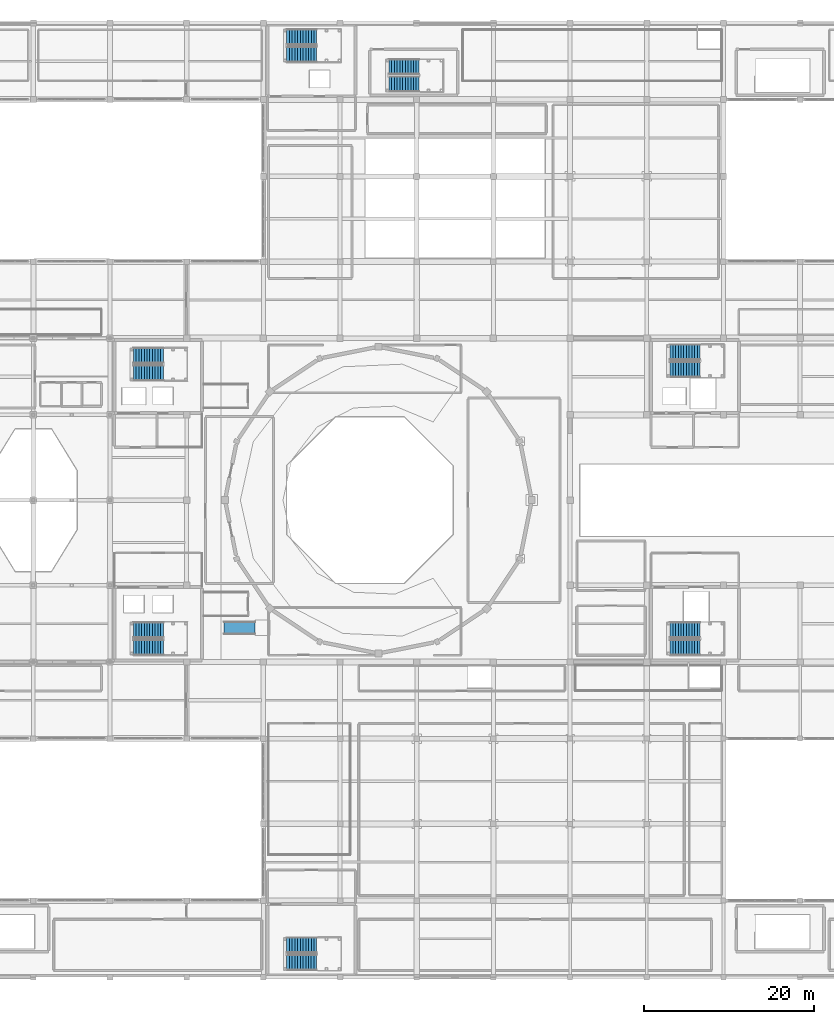
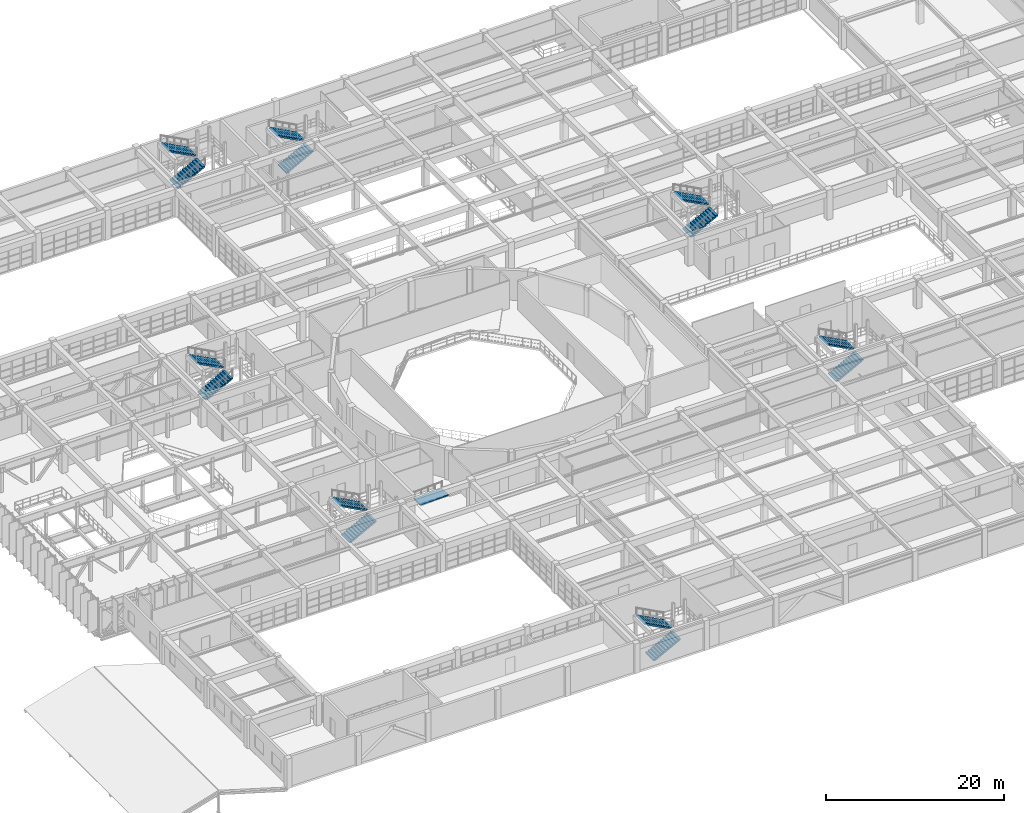
# One storey, part 119 of 130: 14 stair flights, 1 ramp flight, 8 elements without a shape of their own.
"""IFC4 building model written with IfcOpenShell, lengths in metres."""

import ifcopenshell
import ifcopenshell.guid

model = None  # the IFC model being written
_history = None  # IfcOwnerHistory: only IFC2X3 demands one
_inside = {}  # id of a spatial element -> (the spatial element, [elements in it])
_under = {}  # id of a project, library or spatial element -> (it, [spatial elements below it])
_declared = {}  # id of a project -> (the project, [libraries it declares])
_typed = {}  # id of a type object -> (the type object, [elements of that type])
_made_of = {}  # id of a material, layer set ... -> (it, [elements and type objects made of it])


def new_model(schema):
    """Start an empty IFC model of exactly this schema.

    Asked for "IFC4X3", IfcOpenShell would pick the latest addendum, in which some entities
    have other attributes; the version numbers below select the first issue.
    IFC2X3 requires an IfcOwnerHistory on every rooted entity: one is made here for all.
    """
    global model, _history
    if schema == "IFC4X3":
        model = ifcopenshell.file(schema_version=(4, 3, 0, 0))
    else:
        model = ifcopenshell.file(schema=schema)
    _inside.clear()
    _under.clear()
    _declared.clear()
    _typed.clear()
    _made_of.clear()
    _history = None
    if model.schema == "IFC2X3":
        org = make("IfcOrganization", Name="unknown")
        user = make(
            "IfcPersonAndOrganization",
            ThePerson=make("IfcPerson", FamilyName="unknown"),
            TheOrganization=org,
        )
        app = make(
            "IfcApplication",
            ApplicationDeveloper=org,
            Version="unknown",
            ApplicationFullName="unknown",
            ApplicationIdentifier="unknown",
        )
        _history = make(
            "IfcOwnerHistory",
            OwningUser=user,
            OwningApplication=app,
            ChangeAction="ADDED",
            CreationDate=0,
        )
    return model


def make(cls, **values):
    """One entity of the class cls with the attributes given. An attribute that is None is left unset."""
    return model.create_entity(
        cls, **{name: value for name, value in values.items() if value is not None}
    )


def rooted(cls, **values):
    """An entity with a GlobalId (a new one), such as an element, a storey or a relation."""
    return make(cls, GlobalId=ifcopenshell.guid.new(), OwnerHistory=_history, **values)


def si_unit(unit_type, name, prefix=None):
    """IfcSIUnit, for example si_unit("LENGTHUNIT", "METRE", prefix="MILLI")."""
    return make("IfcSIUnit", UnitType=unit_type, Prefix=prefix, Name=name)


def assignment(units):
    """IfcUnitAssignment: the units of a project."""
    return None if units is None else make("IfcUnitAssignment", Units=units)


def point(xyz):
    """IfcCartesianPoint."""
    return None if xyz is None else make("IfcCartesianPoint", Coordinates=xyz)


def direction(xyz):
    """IfcDirection."""
    return None if xyz is None else make("IfcDirection", DirectionRatios=xyz)


def frame(location, z_axis=None, x_axis=None):
    """IfcAxis2Placement3D, a coordinate frame: its origin and axes. An axis left out is left unset."""
    return make(
        "IfcAxis2Placement3D",
        Location=point(location),
        Axis=direction(z_axis),
        RefDirection=direction(x_axis),
    )


def origin():
    """The frame at (0, 0, 0) with its axes left unset."""
    return frame((0.0, 0.0, 0.0))


def place(relative_to, where):
    """IfcLocalPlacement: puts the frame where relative to a parent placement (None: the world)."""
    return make(
        "IfcLocalPlacement", PlacementRelTo=relative_to, RelativePlacement=where
    )


def context(
    kind, dimensions, precision=None, world=None, true_north=None, identifier=None
):
    """IfcGeometricRepresentationContext, for example the 3D "Model" context."""
    return make(
        "IfcGeometricRepresentationContext",
        ContextIdentifier=identifier,
        ContextType=kind,
        CoordinateSpaceDimension=dimensions,
        Precision=precision,
        WorldCoordinateSystem=world,
        TrueNorth=true_north,
    )


def subcontext(parent, identifier, kind, view, scale=None):
    """IfcGeometricRepresentationSubContext, for example "Body" below "Model"."""
    return make(
        "IfcGeometricRepresentationSubContext",
        ContextIdentifier=identifier,
        ContextType=kind,
        ParentContext=parent,
        TargetScale=scale,
        TargetView=view,
    )


def project(units=None, contexts=None):
    """IfcProject with its units and contexts."""
    return rooted(
        "IfcProject",
        Name="project",
        RepresentationContexts=contexts,
        UnitsInContext=assignment(units),
    )


def spatial(cls, under=None, at=None, **own):
    """A site, building, storey or space (cls), placed at a placement, below another one or the project."""
    s = rooted(cls, ObjectPlacement=at, **own)
    if under is not None:
        _under.setdefault(under.id(), (under, []))[1].append(s)
    return s


def polyline(points):
    """IfcPolyline through the points."""
    return make("IfcPolyline", Points=[point(p) for p in points])


def outline(outer, holes=None, kind="AREA"):
    """IfcArbitraryClosedProfileDef: a profile drawn as a closed curve; with holes, ...WithVoids."""
    if holes is None:
        return make("IfcArbitraryClosedProfileDef", ProfileType=kind, OuterCurve=outer)
    return make(
        "IfcArbitraryProfileDefWithVoids",
        ProfileType=kind,
        OuterCurve=outer,
        InnerCurves=holes,
    )


def extrude(swept, where, along, depth):
    """IfcExtrudedAreaSolid: the profile swept, set in the frame where, extruded along a direction by depth."""
    return make(
        "IfcExtrudedAreaSolid",
        SweptArea=swept,
        Position=where,
        ExtrudedDirection=direction(along),
        Depth=depth,
    )


def shape(context_of_items, identifier, shape_type, items):
    """IfcShapeRepresentation: the items that make up one representation, for example the "Body"."""
    return make(
        "IfcShapeRepresentation",
        ContextOfItems=context_of_items,
        RepresentationIdentifier=identifier,
        RepresentationType=shape_type,
        Items=items,
    )


def material(Name=None, Category=None):
    """IfcMaterial."""
    return make("IfcMaterial", Name=Name, Category=Category)


def layer(
    of_material, thickness, ventilated=None, Name=None, Category=None, Priority=None
):
    """IfcMaterialLayer: one layer of a wall or slab, of a material (None: an air gap)."""
    return make(
        "IfcMaterialLayer",
        Material=of_material,
        LayerThickness=thickness,
        IsVentilated=ventilated,
        Name=Name,
        Category=Category,
        Priority=Priority,
    )


def layer_set(layers, Name=None):
    """IfcMaterialLayerSet."""
    return make("IfcMaterialLayerSet", MaterialLayers=layers, LayerSetName=Name)


def made_of(thing, what):
    """Note that an element or type object is made of a material, layer set ...; save() writes the relation."""
    if what is not None:
        _made_of.setdefault(what.id(), (what, []))[1].append(thing)
    return thing


def type_object(cls, material=None, **own):
    """A type object (cls), such as IfcWallType, which elements share."""
    return made_of(rooted(cls, **own), material)


def element(
    cls,
    number,
    at=None,
    inside=None,
    cuts=None,
    type_object=None,
    material=None,
    context=None,
    identifier="Body",
    shape_type=None,
    held_by="IfcProductDefinitionShape",
    body=None,
    shapes=None,
    **own,
):
    """One element of the class cls, such as IfcWall. Its Tag is "e" and its number.

    at: its placement. inside: the storey or other place that contains it. cuts: it is an
    opening in that element (IfcRelVoidsElement). A single representation is given by context,
    identifier, shape_type and body (its items); several are given by shapes. held_by: the class
    of the entity that holds the representations. save() writes the other relations.
    """
    e = rooted(cls, Tag="e%d" % number, ObjectPlacement=at, **own)
    if body is not None:
        shapes = [shape(context, identifier, shape_type, body)]
    if shapes is not None:
        e.Representation = make(held_by, Representations=shapes)
    if inside is not None:
        _inside.setdefault(inside.id(), (inside, []))[1].append(e)
    if cuts is not None:
        rooted(
            "IfcRelVoidsElement", RelatingBuildingElement=cuts, RelatedOpeningElement=e
        )
    if type_object is not None:
        _typed.setdefault(type_object.id(), (type_object, []))[1].append(e)
    return made_of(e, material)


def aggregate(whole, parts):
    """IfcRelAggregates: a whole, such as a stair, and the parts it consists of."""
    return rooted("IfcRelAggregates", RelatingObject=whole, RelatedObjects=parts)


def save(model, path):
    """Write the relations noted so far, then the file.

    IfcRelAggregates (storeys below a building ...), IfcRelContainedInSpatialStructure (elements
    in a storey), IfcRelDefinesByType, IfcRelAssociatesMaterial and IfcRelDeclares: one each for
    every whole, place, type object, material and project.
    """
    for whole, parts in _under.values():
        aggregate(whole, parts)
    for where, things in _inside.values():
        rooted(
            "IfcRelContainedInSpatialStructure",
            RelatedElements=things,
            RelatingStructure=where,
        )
    for kind, things in _typed.values():
        rooted("IfcRelDefinesByType", RelatedObjects=things, RelatingType=kind)
    for what, things in _made_of.values():
        rooted("IfcRelAssociatesMaterial", RelatedObjects=things, RelatingMaterial=what)
    for by, libraries in _declared.values():
        rooted("IfcRelDeclares", RelatingContext=by, RelatedDefinitions=libraries)
    model.write(path)


model = new_model("IFC4")

# Units and contexts
model_context = context("Model", 3, precision=1e-05, world=origin(), true_north=direction((0.0, 1.0)))
body_context = subcontext(model_context, "Body", "Model", "MODEL_VIEW")
ifc_project = project(units=[si_unit("LENGTHUNIT", "METRE"), si_unit("AREAUNIT", "SQUARE_METRE"), si_unit("VOLUMEUNIT", "CUBIC_METRE"), si_unit("PLANEANGLEUNIT", "RADIAN"), si_unit("MASSUNIT", "GRAM", prefix="KILO")], contexts=[model_context])

# Site, building, storey
site_placement = place(None, origin())
site = spatial("IfcSite", under=ifc_project, at=site_placement, CompositionType="ELEMENT")
building_placement = place(site_placement, origin())
building = spatial("IfcBuilding", under=site, at=building_placement, Name="Miravela Opera House", CompositionType="ELEMENT")
storey_placement = place(building_placement, frame((0.0, 0.0, 9.52001953125)))
storey = spatial("IfcBuildingStorey", under=building, at=storey_placement, Name="L02", CompositionType="ELEMENT", Elevation=9.52001953125)

# Stair, stair flights
ifc_material = material(Name="Concrete C35/45", Category="concrete")
stair_type_1 = type_object("IfcStairType", Name="ARC-STAIR-CORE-1680", PredefinedType="HALF_TURN_STAIR", material=ifc_material)
stair_1_placement = place(storey_placement, origin())
stair_1 = element("IfcStair", 1, at=stair_1_placement, inside=storey, type_object=stair_type_1, Name="L02 Core K1 North Foyer and Firefighting Core Exit Stair ST-01", PredefinedType="HALF_TURN_STAIR")
stair_flight_type_1 = type_object("IfcStairFlightType", Name="ARC-FLIGHT-1680", PredefinedType="STRAIGHT", material=ifc_material)
stair_flight_1_placement = place(storey_placement, frame((47.739990234375, 70.919921875, 0.0), z_axis=(0.0, 0.0, 1.0), x_axis=(1.0, 0.0, 0.0)))
stair_flight_1 = element("IfcStairFlight", 2, at=stair_flight_1_placement, type_object=stair_flight_type_1, Name="ST-01 flight 1", NumberOfRisers=12, NumberOfTreads=11, PredefinedType="STRAIGHT", RiserHeight=0.17, TreadLength=0.32, context=body_context, shape_type="SweptSolid", body=[
    extrude(outline(polyline([(0.0, 0.0), (0.0, 0.169921875), (0.320068359375, 0.169921875), (0.320068359375, 0.340087890625), (0.639892578125, 0.340087890625), (0.639892578125, 0.510009765625), (0.9599609375, 0.510009765625), (0.9599609375, 0.679931640625), (1.280029296875, 0.679931640625), (1.280029296875, 0.85009765625), (1.60009765625, 0.85009765625), (1.60009765625, 1.02001953125), (1.919921875, 1.02001953125), (1.919921875, 1.18994140625), (2.239990234375, 1.18994140625), (2.239990234375, 1.360107421875), (2.56005859375, 1.360107421875), (2.56005859375, 1.530029296875), (2.8798828125, 1.530029296875), (2.8798828125, 1.699951171875), (3.199951171875, 1.699951171875), (3.199951171875, 1.8701171875), (3.52001953125, 1.8701171875), (3.52001953125, 2.0400390625), (3.52001953125, 1.7001953125), (0.319580078125, 0.0), (0.0, 0.0)])), frame((0.0, 0.919921875, 0.0), z_axis=(0.0, -1.0, 0.0), x_axis=(1.0, 0.0, 0.0)), (0.0, 0.0, 1.0), 1.840087890625),
])
stair_flight_2_placement = place(storey_placement, frame((51.260009765625, 72.9599609375, 2.0400390625), z_axis=(0.0, 0.0, 1.0), x_axis=(-1.0, 0.0, 0.0)))
stair_flight_2 = element("IfcStairFlight", 3, at=stair_flight_2_placement, type_object=stair_flight_type_1, Name="ST-01 flight 2", NumberOfRisers=12, NumberOfTreads=11, PredefinedType="STRAIGHT", RiserHeight=0.17, TreadLength=0.32, context=body_context, shape_type="SweptSolid", body=[
    extrude(outline(polyline([(0.0, 0.0), (0.0, 0.169921875), (0.320068359375, 0.169921875), (0.320068359375, 0.340087890625), (0.639892578125, 0.340087890625), (0.639892578125, 0.510009765625), (0.9599609375, 0.510009765625), (0.9599609375, 0.679931640625), (1.280029296875, 0.679931640625), (1.280029296875, 0.85009765625), (1.60009765625, 0.85009765625), (1.60009765625, 1.02001953125), (1.919921875, 1.02001953125), (1.919921875, 1.18994140625), (2.239990234375, 1.18994140625), (2.239990234375, 1.360107421875), (2.56005859375, 1.360107421875), (2.56005859375, 1.530029296875), (2.8798828125, 1.530029296875), (2.8798828125, 1.699951171875), (3.199951171875, 1.699951171875), (3.199951171875, 1.8701171875), (3.52001953125, 1.8701171875), (3.52001953125, 2.0400390625), (3.52001953125, 1.7001953125), (0.319580078125, 0.0), (0.0, 0.0)])), frame((0.0, 0.919921875, 0.0), z_axis=(0.0, -1.0, 0.0), x_axis=(1.0, 0.0, 0.0)), (0.0, 0.0, 1.0), 1.840087890625),
])
aggregate(stair_1, [stair_flight_1, stair_flight_2])

stair_2_placement = place(storey_placement, origin())
stair_2 = element("IfcStair", 4, at=stair_2_placement, inside=storey, type_object=stair_type_1, Name="L02 Core K2 South Foyer Core Exit Stair ST-02", PredefinedType="HALF_TURN_STAIR")
stair_flight_3_placement = place(storey_placement, frame((47.739990234375, 38.719970703125, 0.0), z_axis=(0.0, 0.0, 1.0), x_axis=(1.0, 0.0, 0.0)))
stair_flight_3 = element("IfcStairFlight", 5, at=stair_flight_3_placement, type_object=stair_flight_type_1, Name="ST-02 flight 1", NumberOfRisers=12, NumberOfTreads=11, PredefinedType="STRAIGHT", RiserHeight=0.17, TreadLength=0.32, context=body_context, shape_type="SweptSolid", body=[
    extrude(outline(polyline([(0.0, 0.0), (0.0, 0.169921875), (0.320068359375, 0.169921875), (0.320068359375, 0.340087890625), (0.639892578125, 0.340087890625), (0.639892578125, 0.510009765625), (0.9599609375, 0.510009765625), (0.9599609375, 0.679931640625), (1.280029296875, 0.679931640625), (1.280029296875, 0.85009765625), (1.60009765625, 0.85009765625), (1.60009765625, 1.02001953125), (1.919921875, 1.02001953125), (1.919921875, 1.18994140625), (2.239990234375, 1.18994140625), (2.239990234375, 1.360107421875), (2.56005859375, 1.360107421875), (2.56005859375, 1.530029296875), (2.8798828125, 1.530029296875), (2.8798828125, 1.699951171875), (3.199951171875, 1.699951171875), (3.199951171875, 1.8701171875), (3.52001953125, 1.8701171875), (3.52001953125, 2.0400390625), (3.52001953125, 1.7001953125), (0.319580078125, 0.0), (0.0, 0.0)])), frame((0.0, 0.919921875, 0.0), z_axis=(0.0, -1.0, 0.0), x_axis=(1.0, 0.0, 0.0)), (0.0, 0.0, 1.0), 1.840087890625),
])
stair_flight_4_placement = place(storey_placement, frame((51.260009765625, 40.760009765625, 2.0400390625), z_axis=(0.0, 0.0, 1.0), x_axis=(-1.0, 0.0, 0.0)))
stair_flight_4 = element("IfcStairFlight", 6, at=stair_flight_4_placement, type_object=stair_flight_type_1, Name="ST-02 flight 2", NumberOfRisers=12, NumberOfTreads=11, PredefinedType="STRAIGHT", RiserHeight=0.17, TreadLength=0.32, context=body_context, shape_type="SweptSolid", body=[
    extrude(outline(polyline([(0.0, 0.0), (0.0, 0.169921875), (0.320068359375, 0.169921875), (0.320068359375, 0.340087890625), (0.639892578125, 0.340087890625), (0.639892578125, 0.510009765625), (0.9599609375, 0.510009765625), (0.9599609375, 0.679931640625), (1.280029296875, 0.679931640625), (1.280029296875, 0.85009765625), (1.60009765625, 0.85009765625), (1.60009765625, 1.02001953125), (1.919921875, 1.02001953125), (1.919921875, 1.18994140625), (2.239990234375, 1.18994140625), (2.239990234375, 1.360107421875), (2.56005859375, 1.360107421875), (2.56005859375, 1.530029296875), (2.8798828125, 1.530029296875), (2.8798828125, 1.699951171875), (3.199951171875, 1.699951171875), (3.199951171875, 1.8701171875), (3.52001953125, 1.8701171875), (3.52001953125, 2.0400390625), (3.52001953125, 1.7001953125), (0.319580078125, 0.0), (0.0, 0.0)])), frame((0.0, 0.919921875, 0.0), z_axis=(0.0, -1.0, 0.0), x_axis=(1.0, 0.0, 0.0)), (0.0, 0.0, 1.0), 1.840087890625),
])
aggregate(stair_2, [stair_flight_3, stair_flight_4])

stair_3_placement = place(storey_placement, origin())
stair_3 = element("IfcStair", 7, at=stair_3_placement, inside=storey, type_object=stair_type_1, Name="L02 Core K3 North Stage and Firefighting Core Exit Stair ST-03", PredefinedType="HALF_TURN_STAIR")
stair_flight_5_placement = place(storey_placement, frame((110.739990234375, 71.320068359375, 0.0), z_axis=(0.0, 0.0, 1.0), x_axis=(1.0, 0.0, 0.0)))
stair_flight_5 = element("IfcStairFlight", 8, at=stair_flight_5_placement, type_object=stair_flight_type_1, Name="ST-03 flight 1", NumberOfRisers=12, NumberOfTreads=11, PredefinedType="STRAIGHT", RiserHeight=0.17, TreadLength=0.32, context=body_context, shape_type="SweptSolid", body=[
    extrude(outline(polyline([(0.0, 0.0), (0.0, 0.169921875), (0.320068359375, 0.169921875), (0.320068359375, 0.340087890625), (0.639892578125, 0.340087890625), (0.639892578125, 0.510009765625), (0.9599609375, 0.510009765625), (0.9599609375, 0.679931640625), (1.280029296875, 0.679931640625), (1.280029296875, 0.85009765625), (1.60009765625, 0.85009765625), (1.60009765625, 1.02001953125), (1.919921875, 1.02001953125), (1.919921875, 1.18994140625), (2.239990234375, 1.18994140625), (2.239990234375, 1.360107421875), (2.56005859375, 1.360107421875), (2.56005859375, 1.530029296875), (2.8798828125, 1.530029296875), (2.8798828125, 1.699951171875), (3.199951171875, 1.699951171875), (3.199951171875, 1.8701171875), (3.52001953125, 1.8701171875), (3.52001953125, 2.0400390625), (3.52001953125, 1.7001953125), (0.319580078125, 0.0), (0.0, 0.0)])), frame((0.0, 0.919921875, 0.0), z_axis=(0.0, -1.0, 0.0), x_axis=(1.0, 0.0, 0.0)), (0.0, 0.0, 1.0), 1.840087890625),
])
stair_flight_6_placement = place(storey_placement, frame((114.260009765625, 73.360107421875, 2.0400390625), z_axis=(0.0, 0.0, 1.0), x_axis=(-1.0, 0.0, 0.0)))
stair_flight_6 = element("IfcStairFlight", 9, at=stair_flight_6_placement, type_object=stair_flight_type_1, Name="ST-03 flight 2", NumberOfRisers=12, NumberOfTreads=11, PredefinedType="STRAIGHT", RiserHeight=0.17, TreadLength=0.32, context=body_context, shape_type="SweptSolid", body=[
    extrude(outline(polyline([(0.0, 0.0), (0.0, 0.169921875), (0.320068359375, 0.169921875), (0.320068359375, 0.340087890625), (0.639892578125, 0.340087890625), (0.639892578125, 0.510009765625), (0.9599609375, 0.510009765625), (0.9599609375, 0.679931640625), (1.280029296875, 0.679931640625), (1.280029296875, 0.85009765625), (1.60009765625, 0.85009765625), (1.60009765625, 1.02001953125), (1.919921875, 1.02001953125), (1.919921875, 1.18994140625), (2.239990234375, 1.18994140625), (2.239990234375, 1.360107421875), (2.56005859375, 1.360107421875), (2.56005859375, 1.530029296875), (2.8798828125, 1.530029296875), (2.8798828125, 1.699951171875), (3.199951171875, 1.699951171875), (3.199951171875, 1.8701171875), (3.52001953125, 1.8701171875), (3.52001953125, 2.0400390625), (3.52001953125, 1.7001953125), (0.319580078125, 0.0), (0.0, 0.0)])), frame((0.0, 0.919921875, 0.0), z_axis=(0.0, -1.0, 0.0), x_axis=(1.0, 0.0, 0.0)), (0.0, 0.0, 1.0), 1.840087890625),
])
aggregate(stair_3, [stair_flight_5, stair_flight_6])

stair_4_placement = place(storey_placement, origin())
stair_4 = element("IfcStair", 10, at=stair_4_placement, inside=storey, type_object=stair_type_1, Name="L02 Core K4 South Stage Core Exit Stair ST-04", PredefinedType="HALF_TURN_STAIR")
stair_flight_7_placement = place(storey_placement, frame((110.739990234375, 38.719970703125, 0.0), z_axis=(0.0, 0.0, 1.0), x_axis=(1.0, 0.0, 0.0)))
stair_flight_7 = element("IfcStairFlight", 11, at=stair_flight_7_placement, type_object=stair_flight_type_1, Name="ST-04 flight 1", NumberOfRisers=12, NumberOfTreads=11, PredefinedType="STRAIGHT", RiserHeight=0.17, TreadLength=0.32, context=body_context, shape_type="SweptSolid", body=[
    extrude(outline(polyline([(0.0, 0.0), (0.0, 0.169921875), (0.320068359375, 0.169921875), (0.320068359375, 0.340087890625), (0.639892578125, 0.340087890625), (0.639892578125, 0.510009765625), (0.9599609375, 0.510009765625), (0.9599609375, 0.679931640625), (1.280029296875, 0.679931640625), (1.280029296875, 0.85009765625), (1.60009765625, 0.85009765625), (1.60009765625, 1.02001953125), (1.919921875, 1.02001953125), (1.919921875, 1.18994140625), (2.239990234375, 1.18994140625), (2.239990234375, 1.360107421875), (2.56005859375, 1.360107421875), (2.56005859375, 1.530029296875), (2.8798828125, 1.530029296875), (2.8798828125, 1.699951171875), (3.199951171875, 1.699951171875), (3.199951171875, 1.8701171875), (3.52001953125, 1.8701171875), (3.52001953125, 2.0400390625), (3.52001953125, 1.7001953125), (0.319580078125, 0.0), (0.0, 0.0)])), frame((0.0, 0.919921875, 0.0), z_axis=(0.0, -1.0, 0.0), x_axis=(1.0, 0.0, 0.0)), (0.0, 0.0, 1.0), 1.840087890625),
])
stair_flight_8_placement = place(storey_placement, frame((114.260009765625, 40.760009765625, 2.0400390625), z_axis=(0.0, 0.0, 1.0), x_axis=(-1.0, 0.0, 0.0)))
stair_flight_8 = element("IfcStairFlight", 12, at=stair_flight_8_placement, type_object=stair_flight_type_1, Name="ST-04 flight 2", NumberOfRisers=12, NumberOfTreads=11, PredefinedType="STRAIGHT", RiserHeight=0.17, TreadLength=0.32, context=body_context, shape_type="SweptSolid", body=[
    extrude(outline(polyline([(0.0, 0.0), (0.0, 0.169921875), (0.320068359375, 0.169921875), (0.320068359375, 0.340087890625), (0.639892578125, 0.340087890625), (0.639892578125, 0.510009765625), (0.9599609375, 0.510009765625), (0.9599609375, 0.679931640625), (1.280029296875, 0.679931640625), (1.280029296875, 0.85009765625), (1.60009765625, 0.85009765625), (1.60009765625, 1.02001953125), (1.919921875, 1.02001953125), (1.919921875, 1.18994140625), (2.239990234375, 1.18994140625), (2.239990234375, 1.360107421875), (2.56005859375, 1.360107421875), (2.56005859375, 1.530029296875), (2.8798828125, 1.530029296875), (2.8798828125, 1.699951171875), (3.199951171875, 1.699951171875), (3.199951171875, 1.8701171875), (3.52001953125, 1.8701171875), (3.52001953125, 2.0400390625), (3.52001953125, 1.7001953125), (0.319580078125, 0.0), (0.0, 0.0)])), frame((0.0, 0.919921875, 0.0), z_axis=(0.0, -1.0, 0.0), x_axis=(1.0, 0.0, 0.0)), (0.0, 0.0, 1.0), 1.840087890625),
])
aggregate(stair_4, [stair_flight_7, stair_flight_8])

stair_5_placement = place(storey_placement, origin())
stair_5 = element("IfcStair", 13, at=stair_5_placement, inside=storey, type_object=stair_type_1, Name="L02 Core K5 North Rehearsal Core Exit Stair ST-05", PredefinedType="HALF_TURN_STAIR")
stair_flight_9_placement = place(storey_placement, frame((65.739990234375, 108.320068359375, 0.0), z_axis=(0.0, 0.0, 1.0), x_axis=(1.0, 0.0, 0.0)))
stair_flight_9 = element("IfcStairFlight", 14, at=stair_flight_9_placement, type_object=stair_flight_type_1, Name="ST-05 flight 1", NumberOfRisers=12, NumberOfTreads=11, PredefinedType="STRAIGHT", RiserHeight=0.17, TreadLength=0.32, context=body_context, shape_type="SweptSolid", body=[
    extrude(outline(polyline([(0.0, 0.0), (0.0, 0.169921875), (0.320068359375, 0.169921875), (0.320068359375, 0.340087890625), (0.639892578125, 0.340087890625), (0.639892578125, 0.510009765625), (0.9599609375, 0.510009765625), (0.9599609375, 0.679931640625), (1.280029296875, 0.679931640625), (1.280029296875, 0.85009765625), (1.60009765625, 0.85009765625), (1.60009765625, 1.02001953125), (1.919921875, 1.02001953125), (1.919921875, 1.18994140625), (2.239990234375, 1.18994140625), (2.239990234375, 1.360107421875), (2.56005859375, 1.360107421875), (2.56005859375, 1.530029296875), (2.8798828125, 1.530029296875), (2.8798828125, 1.699951171875), (3.199951171875, 1.699951171875), (3.199951171875, 1.8701171875), (3.52001953125, 1.8701171875), (3.52001953125, 2.0400390625), (3.52001953125, 1.7001953125), (0.319580078125, 0.0), (0.0, 0.0)])), frame((0.0, 0.919921875, 0.0), z_axis=(0.0, -1.0, 0.0), x_axis=(1.0, 0.0, 0.0)), (0.0, 0.0, 1.0), 1.840087890625),
])
stair_flight_10_placement = place(storey_placement, frame((69.260009765625, 110.360107421875, 2.0400390625), z_axis=(0.0, 0.0, 1.0), x_axis=(-1.0, 0.0, 0.0)))
stair_flight_10 = element("IfcStairFlight", 15, at=stair_flight_10_placement, type_object=stair_flight_type_1, Name="ST-05 flight 2", NumberOfRisers=12, NumberOfTreads=11, PredefinedType="STRAIGHT", RiserHeight=0.17, TreadLength=0.32, context=body_context, shape_type="SweptSolid", body=[
    extrude(outline(polyline([(0.0, 0.0), (0.0, 0.169921875), (0.320068359375, 0.169921875), (0.320068359375, 0.340087890625), (0.639892578125, 0.340087890625), (0.639892578125, 0.510009765625), (0.9599609375, 0.510009765625), (0.9599609375, 0.679931640625), (1.280029296875, 0.679931640625), (1.280029296875, 0.85009765625), (1.60009765625, 0.85009765625), (1.60009765625, 1.02001953125), (1.919921875, 1.02001953125), (1.919921875, 1.18994140625), (2.239990234375, 1.18994140625), (2.239990234375, 1.360107421875), (2.56005859375, 1.360107421875), (2.56005859375, 1.530029296875), (2.8798828125, 1.530029296875), (2.8798828125, 1.699951171875), (3.199951171875, 1.699951171875), (3.199951171875, 1.8701171875), (3.52001953125, 1.8701171875), (3.52001953125, 2.0400390625), (3.52001953125, 1.7001953125), (0.319580078125, 0.0), (0.0, 0.0)])), frame((0.0, 0.919921875, 0.0), z_axis=(0.0, -1.0, 0.0), x_axis=(1.0, 0.0, 0.0)), (0.0, 0.0, 1.0), 1.840087890625),
])
aggregate(stair_5, [stair_flight_9, stair_flight_10])

stair_6_placement = place(storey_placement, origin())
stair_6 = element("IfcStair", 16, at=stair_6_placement, inside=storey, type_object=stair_type_1, Name="L02 Core K6 South Artist Core Exit Stair ST-06", PredefinedType="HALF_TURN_STAIR")
stair_flight_11_placement = place(storey_placement, frame((65.739990234375, 1.719970703125, 0.0), z_axis=(0.0, 0.0, 1.0), x_axis=(1.0, 0.0, 0.0)))
stair_flight_11 = element("IfcStairFlight", 17, at=stair_flight_11_placement, type_object=stair_flight_type_1, Name="ST-06 flight 1", NumberOfRisers=12, NumberOfTreads=11, PredefinedType="STRAIGHT", RiserHeight=0.17, TreadLength=0.32, context=body_context, shape_type="SweptSolid", body=[
    extrude(outline(polyline([(0.0, 0.0), (0.0, 0.169921875), (0.320068359375, 0.169921875), (0.320068359375, 0.340087890625), (0.639892578125, 0.340087890625), (0.639892578125, 0.510009765625), (0.9599609375, 0.510009765625), (0.9599609375, 0.679931640625), (1.280029296875, 0.679931640625), (1.280029296875, 0.85009765625), (1.60009765625, 0.85009765625), (1.60009765625, 1.02001953125), (1.919921875, 1.02001953125), (1.919921875, 1.18994140625), (2.239990234375, 1.18994140625), (2.239990234375, 1.360107421875), (2.56005859375, 1.360107421875), (2.56005859375, 1.530029296875), (2.8798828125, 1.530029296875), (2.8798828125, 1.699951171875), (3.199951171875, 1.699951171875), (3.199951171875, 1.8701171875), (3.52001953125, 1.8701171875), (3.52001953125, 2.0400390625), (3.52001953125, 1.7001953125), (0.319580078125, 0.0), (0.0, 0.0)])), frame((0.0, 0.919921875, 0.0), z_axis=(0.0, -1.0, 0.0), x_axis=(1.0, 0.0, 0.0)), (0.0, 0.0, 1.0), 1.840087890625),
])
stair_flight_12_placement = place(storey_placement, frame((69.260009765625, 3.760009765625, 2.0400390625), z_axis=(0.0, 0.0, 1.0), x_axis=(-1.0, 0.0, 0.0)))
stair_flight_12 = element("IfcStairFlight", 18, at=stair_flight_12_placement, type_object=stair_flight_type_1, Name="ST-06 flight 2", NumberOfRisers=12, NumberOfTreads=11, PredefinedType="STRAIGHT", RiserHeight=0.17, TreadLength=0.32, context=body_context, shape_type="SweptSolid", body=[
    extrude(outline(polyline([(0.0, 0.0), (0.0, 0.169921875), (0.320068359375, 0.169921875), (0.320068359375, 0.340087890625), (0.639892578125, 0.340087890625), (0.639892578125, 0.510009765625), (0.9599609375, 0.510009765625), (0.9599609375, 0.679931640625), (1.280029296875, 0.679931640625), (1.280029296875, 0.85009765625), (1.60009765625, 0.85009765625), (1.60009765625, 1.02001953125), (1.919921875, 1.02001953125), (1.919921875, 1.18994140625), (2.239990234375, 1.18994140625), (2.239990234375, 1.360107421875), (2.56005859375, 1.360107421875), (2.56005859375, 1.530029296875), (2.8798828125, 1.530029296875), (2.8798828125, 1.699951171875), (3.199951171875, 1.699951171875), (3.199951171875, 1.8701171875), (3.52001953125, 1.8701171875), (3.52001953125, 2.0400390625), (3.52001953125, 1.7001953125), (0.319580078125, 0.0), (0.0, 0.0)])), frame((0.0, 0.919921875, 0.0), z_axis=(0.0, -1.0, 0.0), x_axis=(1.0, 0.0, 0.0)), (0.0, 0.0, 1.0), 1.840087890625),
])
aggregate(stair_6, [stair_flight_11, stair_flight_12])

stair_type_2 = type_object("IfcStairType", Name="ARC-STAIR-WING-1680", PredefinedType="HALF_TURN_STAIR", material=ifc_material)
stair_7_placement = place(storey_placement, origin())
stair_7 = element("IfcStair", 19, at=stair_7_placement, inside=storey, type_object=stair_type_2, Name="L02 North Wing West Exit Stair ST-07", PredefinedType="HALF_TURN_STAIR")
stair_flight_type_2 = type_object("IfcStairFlightType", Name="ARC-FLIGHT-WING-1680", PredefinedType="STRAIGHT", material=ifc_material)
stair_flight_13_placement = place(storey_placement, frame((77.739990234375, 104.820068359375, 0.0), z_axis=(0.0, 0.0, 1.0), x_axis=(1.0, 0.0, 0.0)))
stair_flight_13 = element("IfcStairFlight", 20, at=stair_flight_13_placement, type_object=stair_flight_type_2, Name="ST-07 flight 1", NumberOfRisers=12, NumberOfTreads=11, PredefinedType="STRAIGHT", RiserHeight=0.17, TreadLength=0.32, context=body_context, shape_type="SweptSolid", body=[
    extrude(outline(polyline([(0.0, 0.0), (0.0, 0.169921875), (0.320068359375, 0.169921875), (0.320068359375, 0.340087890625), (0.639892578125, 0.340087890625), (0.639892578125, 0.510009765625), (0.9599609375, 0.510009765625), (0.9599609375, 0.679931640625), (1.280029296875, 0.679931640625), (1.280029296875, 0.85009765625), (1.60009765625, 0.85009765625), (1.60009765625, 1.02001953125), (1.919921875, 1.02001953125), (1.919921875, 1.18994140625), (2.239990234375, 1.18994140625), (2.239990234375, 1.360107421875), (2.56005859375, 1.360107421875), (2.56005859375, 1.530029296875), (2.8798828125, 1.530029296875), (2.8798828125, 1.699951171875), (3.199951171875, 1.699951171875), (3.199951171875, 1.8701171875), (3.52001953125, 1.8701171875), (3.52001953125, 2.0400390625), (3.52001953125, 1.7001953125), (0.319580078125, 0.0), (0.0, 0.0)])), frame((0.0, 0.919921875, 0.0), z_axis=(0.0, -1.0, 0.0), x_axis=(1.0, 0.0, 0.0)), (0.0, 0.0, 1.0), 1.840087890625),
])
stair_flight_14_placement = place(storey_placement, frame((81.260009765625, 106.860107421875, 2.0400390625), z_axis=(0.0, 0.0, 1.0), x_axis=(-1.0, 0.0, 0.0)))
stair_flight_14 = element("IfcStairFlight", 21, at=stair_flight_14_placement, type_object=stair_flight_type_2, Name="ST-07 flight 2", NumberOfRisers=12, NumberOfTreads=11, PredefinedType="STRAIGHT", RiserHeight=0.17, TreadLength=0.32, context=body_context, shape_type="SweptSolid", body=[
    extrude(outline(polyline([(0.0, 0.0), (0.0, 0.169921875), (0.320068359375, 0.169921875), (0.320068359375, 0.340087890625), (0.639892578125, 0.340087890625), (0.639892578125, 0.510009765625), (0.9599609375, 0.510009765625), (0.9599609375, 0.679931640625), (1.280029296875, 0.679931640625), (1.280029296875, 0.85009765625), (1.60009765625, 0.85009765625), (1.60009765625, 1.02001953125), (1.919921875, 1.02001953125), (1.919921875, 1.18994140625), (2.239990234375, 1.18994140625), (2.239990234375, 1.360107421875), (2.56005859375, 1.360107421875), (2.56005859375, 1.530029296875), (2.8798828125, 1.530029296875), (2.8798828125, 1.699951171875), (3.199951171875, 1.699951171875), (3.199951171875, 1.8701171875), (3.52001953125, 1.8701171875), (3.52001953125, 2.0400390625), (3.52001953125, 1.7001953125), (0.319580078125, 0.0), (0.0, 0.0)])), frame((0.0, 0.919921875, 0.0), z_axis=(0.0, -1.0, 0.0), x_axis=(1.0, 0.0, 0.0)), (0.0, 0.0, 1.0), 1.840087890625),
])
aggregate(stair_7, [stair_flight_13, stair_flight_14])

# Ramp, ramp flight
ramp_type = type_object("IfcRampType", Name="ARC-RAMP-ACC-1800", PredefinedType="STRAIGHT_RUN_RAMP", material=ifc_material)
ramp_placement = place(storey_placement, origin())
ramp = element("IfcRamp", 22, at=ramp_placement, inside=storey, type_object=ramp_type, Name="Dress Circle Wheelchair Position Ramp", PredefinedType="STRAIGHT_RUN_RAMP")
ifc_layer = layer(ifc_material, 0.219970703125)
ifc_layer_set = layer_set([ifc_layer])
ramp_flight_type = type_object("IfcRampFlightType", Name="ARC-RFLIGHT-ACC-220", PredefinedType="STRAIGHT", material=ifc_layer_set)
ramp_flight_placement = place(storey_placement, frame((58.39990234375, 41.0, 0.0), z_axis=(0.0, 0.0, 1.0), x_axis=(1.0, 0.0, 0.0)))
ramp_flight = element("IfcRampFlight", 23, at=ramp_flight_placement, type_object=ramp_flight_type, Name="Dress Circle Wheelchair Position Ramp flight 1", PredefinedType="STRAIGHT", context=body_context, shape_type="SweptSolid", body=[
    extrude(outline(polyline([(0.0, 0.0), (3.60009765625, 0.179931640625), (3.60009765625, 0.0), (0.0, -0.179931640625), (0.0, 0.0)])), frame((0.0, 0.75, 0.0), z_axis=(0.0, -1.0, 0.0), x_axis=(1.0, 0.0, 0.0)), (0.0, 0.0, 1.0), 1.5),
])
aggregate(ramp, [ramp_flight])

save(model, "model.ifc")
